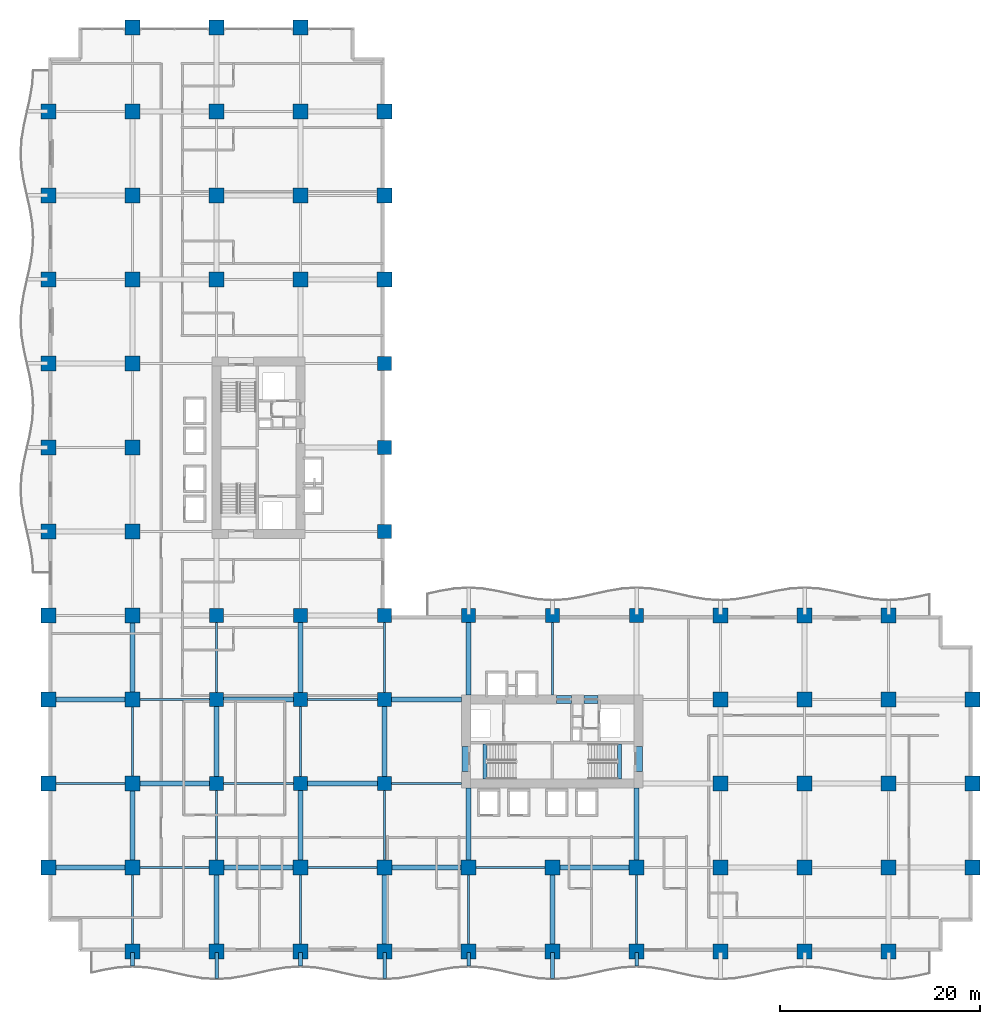
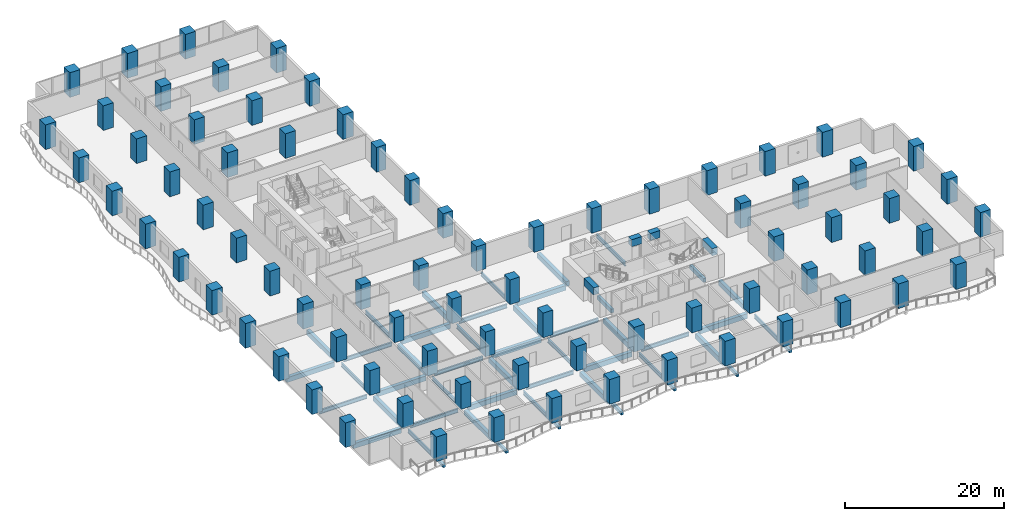
# One storey, part 1 of 22: 78 columns, 53 beams.
"""IFC4 building model written with IfcOpenShell, lengths in metres."""

from ifc_helpers import new_model, si_unit, direction, frame, origin, origin_2d, place, context, subcontext, project, spatial, rectangle, i_section, extrude, material, material_profile, profile_set, type_object, element, save


model = new_model("IFC4")

# Units and contexts
model_context = context("Model", 3, precision=1e-05, world=origin(), true_north=direction((0.0, 1.0)))
body_context = subcontext(model_context, "Body", "Model", "MODEL_VIEW")
ifc_project = project(units=[si_unit("LENGTHUNIT", "METRE"), si_unit("AREAUNIT", "SQUARE_METRE"), si_unit("VOLUMEUNIT", "CUBIC_METRE"), si_unit("PLANEANGLEUNIT", "RADIAN"), si_unit("MASSUNIT", "GRAM", prefix="KILO")], contexts=[model_context])

# Site, building, storey
site_placement = place(None, origin())
site = spatial("IfcSite", under=ifc_project, at=site_placement, CompositionType="ELEMENT")
building_placement = place(site_placement, origin())
building = spatial("IfcBuilding", under=site, at=building_placement, Name="Koriwani Terraces Tower", CompositionType="ELEMENT")
storey_placement = place(building_placement, frame((0.0, 0.0, 62.39990234375)))
storey = spatial("IfcBuildingStorey", under=building, at=storey_placement, Name="L14", CompositionType="ELEMENT", Elevation=62.39990234375)

# Columns
ifc_material_1 = material(Name="Concrete C60/75", Category="concrete")
ifc_material_profile_1 = material_profile(ifc_material_1, rectangle(XDim=1.39990234375, YDim=1.39990234375, at=origin_2d()), Name="Concrete C60/75", Category="LoadBearing")
ifc_profile_set_1 = profile_set([ifc_material_profile_1], Name="Concrete C60/75")
column_type_1 = type_object("IfcColumnType", Name="COL_RC_1400X1400", PredefinedType="COLUMN", material=ifc_profile_set_1)
for number, where, z_axis, x_axis, name in (
    (1, (16.800048828125, 16.800048828125, 0.0), (0.0, 0.0, 1.0), (1.0, 0.0, 0.0), "L14 Column 3/C"),
    (2, (16.800048828125, 25.199951171875, 0.0), (0.0, 0.0, 1.0), (1.0, 0.0, 0.0), "L14 Column 3/D"),
    (3, (16.800048828125, 33.60009765625, 0.0), (0.0, 0.0, 1.0), (1.0, 0.0, 0.0), "L14 Column 3/E"),
    (4, (25.199951171875, 16.800048828125, 0.0), (0.0, 0.0, 1.0), (1.0, 0.0, 0.0), "L14 Column 4/C"),
    (5, (25.199951171875, 25.199951171875, 0.0), (0.0, 0.0, 1.0), (1.0, 0.0, 0.0), "L14 Column 4/D"),
    (6, (25.199951171875, 33.60009765625, 0.0), (0.0, 0.0, 1.0), (1.0, 0.0, 0.0), "L14 Column 4/E"),
    (7, (33.60009765625, 16.800048828125, 0.0), (0.0, 0.0, 1.0), (1.0, 0.0, 0.0), "L14 Column 5/C"),
    (8, (33.60009765625, 25.199951171875, 0.0), (0.0, 0.0, 1.0), (1.0, 0.0, 0.0), "L14 Column 5/D"),
    (9, (33.60009765625, 33.60009765625, 0.0), (0.0, 0.0, 1.0), (1.0, 0.0, 0.0), "L14 Column 5/E"),
    (10, (33.60009765625, 42.0, 0.0), (0.0, 0.0, 1.0), (1.0, 0.0, 0.0), "L14 Column 5/F"),
    (11, (33.60009765625, 50.39990234375, 0.0), (0.0, 0.0, 1.0), (1.0, 0.0, 0.0), "L14 Column 5/G"),
    (12, (33.60009765625, 58.800048828125, 0.0), (0.0, 0.0, 1.0), (1.0, 0.0, 0.0), "L14 Column 5/H"),
    (13, (42.0, 33.60009765625, 0.0), (0.0, 0.0, 1.0), (1.0, 0.0, 0.0), "L14 Column 6/E"),
    (14, (50.39990234375, 33.60009765625, 0.0), (0.0, 0.0, 1.0), (1.0, 0.0, 0.0), "L14 Column 7/E"),
    (15, (58.800048828125, 33.60009765625, 0.0), (0.0, 0.0, 1.0), (1.0, 0.0, 0.0), "L14 Column 8/E"),
):
    element("IfcColumn", number, at=place(storey_placement, frame(where, z_axis=z_axis, x_axis=x_axis)), inside=storey, type_object=column_type_1, Name=name, PredefinedType="COLUMN", context=body_context, shape_type="SweptSolid", body=[
        extrude(rectangle(XDim=1.39990234375, YDim=1.39990234375, at=origin_2d()), origin(), (0.0, 0.0, 1.0), 3.800048828125),
    ])
ifc_material_profile_2 = material_profile(ifc_material_1, rectangle(XDim=1.5, YDim=1.5, at=origin_2d()), Name="Concrete C60/75", Category="LoadBearing")
ifc_profile_set_2 = profile_set([ifc_material_profile_2], Name="Concrete C60/75")
column_type_2 = type_object("IfcColumnType", Name="COL_RC_1500X1500", PredefinedType="COLUMN", material=ifc_profile_set_2)
for number, where, z_axis, x_axis, name in (
    (16, (0.0, 8.39990234375, 0.0), (0.0, 0.0, 1.0), (1.0, 0.0, 0.0), "L14 Column 1/B"),
    (17, (0.0, 16.800048828125, 0.0), (0.0, 0.0, 1.0), (1.0, 0.0, 0.0), "L14 Column 1/C"),
    (18, (0.0, 25.199951171875, 0.0), (0.0, 0.0, 1.0), (1.0, 0.0, 0.0), "L14 Column 1/D"),
    (19, (0.0, 33.60009765625, 0.0), (0.0, 0.0, 1.0), (1.0, 0.0, 0.0), "L14 Column 1/E"),
    (20, (0.0, 42.0, 0.0), (0.0, 0.0, 1.0), (1.0, 0.0, 0.0), "L14 Column 1/F"),
    (21, (0.0, 50.39990234375, 0.0), (0.0, 0.0, 1.0), (1.0, 0.0, 0.0), "L14 Column 1/G"),
    (22, (0.0, 58.800048828125, 0.0), (0.0, 0.0, 1.0), (1.0, 0.0, 0.0), "L14 Column 1/H"),
    (23, (0.0, 67.199951171875, 0.0), (0.0, 0.0, 1.0), (1.0, 0.0, 0.0), "L14 Column 1/I"),
    (24, (0.0, 75.60009765625, 0.0), (0.0, 0.0, 1.0), (1.0, 0.0, 0.0), "L14 Column 1/J"),
    (25, (0.0, 84.0, 0.0), (0.0, 0.0, 1.0), (1.0, 0.0, 0.0), "L14 Column 1/K"),
    (26, (8.39990234375, 0.0, 0.0), (0.0, 0.0, 1.0), (1.0, 0.0, 0.0), "L14 Column 2/A"),
    (27, (8.39990234375, 8.39990234375, 0.0), (0.0, 0.0, 1.0), (1.0, 0.0, 0.0), "L14 Column 2/B"),
    (28, (8.39990234375, 16.800048828125, 0.0), (0.0, 0.0, 1.0), (1.0, 0.0, 0.0), "L14 Column 2/C"),
    (29, (8.39990234375, 25.199951171875, 0.0), (0.0, 0.0, 1.0), (1.0, 0.0, 0.0), "L14 Column 2/D"),
    (30, (8.39990234375, 33.60009765625, 0.0), (0.0, 0.0, 1.0), (1.0, 0.0, 0.0), "L14 Column 2/E"),
    (31, (8.39990234375, 42.0, 0.0), (0.0, 0.0, 1.0), (1.0, 0.0, 0.0), "L14 Column 2/F"),
    (32, (8.39990234375, 50.39990234375, 0.0), (0.0, 0.0, 1.0), (1.0, 0.0, 0.0), "L14 Column 2/G"),
    (33, (8.39990234375, 58.800048828125, 0.0), (0.0, 0.0, 1.0), (1.0, 0.0, 0.0), "L14 Column 2/H"),
    (34, (8.39990234375, 67.199951171875, 0.0), (0.0, 0.0, 1.0), (1.0, 0.0, 0.0), "L14 Column 2/I"),
    (35, (8.39990234375, 75.60009765625, 0.0), (0.0, 0.0, 1.0), (1.0, 0.0, 0.0), "L14 Column 2/J"),
    (36, (8.39990234375, 84.0, 0.0), (0.0, 0.0, 1.0), (1.0, 0.0, 0.0), "L14 Column 2/K"),
    (37, (8.39990234375, 92.39990234375, 0.0), (0.0, 0.0, 1.0), (1.0, 0.0, 0.0), "L14 Column 2/L"),
    (38, (16.800048828125, 0.0, 0.0), (0.0, 0.0, 1.0), (1.0, 0.0, 0.0), "L14 Column 3/A"),
    (39, (16.800048828125, 8.39990234375, 0.0), (0.0, 0.0, 1.0), (1.0, 0.0, 0.0), "L14 Column 3/B"),
    (40, (16.800048828125, 67.199951171875, 0.0), (0.0, 0.0, 1.0), (1.0, 0.0, 0.0), "L14 Column 3/I"),
    (41, (16.800048828125, 75.60009765625, 0.0), (0.0, 0.0, 1.0), (1.0, 0.0, 0.0), "L14 Column 3/J"),
    (42, (16.800048828125, 84.0, 0.0), (0.0, 0.0, 1.0), (1.0, 0.0, 0.0), "L14 Column 3/K"),
    (43, (16.800048828125, 92.39990234375, 0.0), (0.0, 0.0, 1.0), (1.0, 0.0, 0.0), "L14 Column 3/L"),
    (44, (25.199951171875, 0.0, 0.0), (0.0, 0.0, 1.0), (1.0, 0.0, 0.0), "L14 Column 4/A"),
    (45, (25.199951171875, 8.39990234375, 0.0), (0.0, 0.0, 1.0), (1.0, 0.0, 0.0), "L14 Column 4/B"),
    (46, (25.199951171875, 67.199951171875, 0.0), (0.0, 0.0, 1.0), (1.0, 0.0, 0.0), "L14 Column 4/I"),
    (47, (25.199951171875, 75.60009765625, 0.0), (0.0, 0.0, 1.0), (1.0, 0.0, 0.0), "L14 Column 4/J"),
    (48, (25.199951171875, 84.0, 0.0), (0.0, 0.0, 1.0), (1.0, 0.0, 0.0), "L14 Column 4/K"),
    (49, (25.199951171875, 92.39990234375, 0.0), (0.0, 0.0, 1.0), (1.0, 0.0, 0.0), "L14 Column 4/L"),
    (50, (33.60009765625, 0.0, 0.0), (0.0, 0.0, 1.0), (1.0, 0.0, 0.0), "L14 Column 5/A"),
    (51, (33.60009765625, 8.39990234375, 0.0), (0.0, 0.0, 1.0), (1.0, 0.0, 0.0), "L14 Column 5/B"),
    (52, (33.60009765625, 67.199951171875, 0.0), (0.0, 0.0, 1.0), (1.0, 0.0, 0.0), "L14 Column 5/I"),
    (53, (33.60009765625, 75.60009765625, 0.0), (0.0, 0.0, 1.0), (1.0, 0.0, 0.0), "L14 Column 5/J"),
    (54, (33.60009765625, 84.0, 0.0), (0.0, 0.0, 1.0), (1.0, 0.0, 0.0), "L14 Column 5/K"),
    (55, (42.0, 0.0, 0.0), (0.0, 0.0, 1.0), (1.0, 0.0, 0.0), "L14 Column 6/A"),
    (56, (42.0, 8.39990234375, 0.0), (0.0, 0.0, 1.0), (1.0, 0.0, 0.0), "L14 Column 6/B"),
    (57, (50.39990234375, 0.0, 0.0), (0.0, 0.0, 1.0), (1.0, 0.0, 0.0), "L14 Column 7/A"),
    (58, (50.39990234375, 8.39990234375, 0.0), (0.0, 0.0, 1.0), (1.0, 0.0, 0.0), "L14 Column 7/B"),
    (59, (58.800048828125, 0.0, 0.0), (0.0, 0.0, 1.0), (1.0, 0.0, 0.0), "L14 Column 8/A"),
    (60, (58.800048828125, 8.39990234375, 0.0), (0.0, 0.0, 1.0), (1.0, 0.0, 0.0), "L14 Column 8/B"),
    (61, (67.199951171875, 0.0, 0.0), (0.0, 0.0, 1.0), (1.0, 0.0, 0.0), "L14 Column 9/A"),
    (62, (67.199951171875, 8.39990234375, 0.0), (0.0, 0.0, 1.0), (1.0, 0.0, 0.0), "L14 Column 9/B"),
    (63, (67.199951171875, 16.800048828125, 0.0), (0.0, 0.0, 1.0), (1.0, 0.0, 0.0), "L14 Column 9/C"),
    (64, (67.199951171875, 25.199951171875, 0.0), (0.0, 0.0, 1.0), (1.0, 0.0, 0.0), "L14 Column 9/D"),
    (65, (67.199951171875, 33.60009765625, 0.0), (0.0, 0.0, 1.0), (1.0, 0.0, 0.0), "L14 Column 9/E"),
    (66, (75.60009765625, 0.0, 0.0), (0.0, 0.0, 1.0), (1.0, 0.0, 0.0), "L14 Column 10/A"),
    (67, (75.60009765625, 8.39990234375, 0.0), (0.0, 0.0, 1.0), (1.0, 0.0, 0.0), "L14 Column 10/B"),
    (68, (75.60009765625, 16.800048828125, 0.0), (0.0, 0.0, 1.0), (1.0, 0.0, 0.0), "L14 Column 10/C"),
    (69, (75.60009765625, 25.199951171875, 0.0), (0.0, 0.0, 1.0), (1.0, 0.0, 0.0), "L14 Column 10/D"),
    (70, (75.60009765625, 33.60009765625, 0.0), (0.0, 0.0, 1.0), (1.0, 0.0, 0.0), "L14 Column 10/E"),
    (71, (84.0, 0.0, 0.0), (0.0, 0.0, 1.0), (1.0, 0.0, 0.0), "L14 Column 11/A"),
    (72, (84.0, 8.39990234375, 0.0), (0.0, 0.0, 1.0), (1.0, 0.0, 0.0), "L14 Column 11/B"),
    (73, (84.0, 16.800048828125, 0.0), (0.0, 0.0, 1.0), (1.0, 0.0, 0.0), "L14 Column 11/C"),
    (74, (84.0, 25.199951171875, 0.0), (0.0, 0.0, 1.0), (1.0, 0.0, 0.0), "L14 Column 11/D"),
    (75, (84.0, 33.60009765625, 0.0), (0.0, 0.0, 1.0), (1.0, 0.0, 0.0), "L14 Column 11/E"),
    (76, (92.39990234375, 8.39990234375, 0.0), (0.0, 0.0, 1.0), (1.0, 0.0, 0.0), "L14 Column 12/B"),
    (77, (92.39990234375, 16.800048828125, 0.0), (0.0, 0.0, 1.0), (1.0, 0.0, 0.0), "L14 Column 12/C"),
    (78, (92.39990234375, 25.199951171875, 0.0), (0.0, 0.0, 1.0), (1.0, 0.0, 0.0), "L14 Column 12/D"),
):
    element("IfcColumn", number, at=place(storey_placement, frame(where, z_axis=z_axis, x_axis=x_axis)), inside=storey, type_object=column_type_2, Name=name, PredefinedType="COLUMN", context=body_context, shape_type="SweptSolid", body=[
        extrude(rectangle(XDim=1.5, YDim=1.5, at=origin_2d()), origin(), (0.0, 0.0, 1.0), 3.800048828125),
    ])

# Beams
ifc_material_2 = material(Name="Concrete C40/50", Category="concrete")
ifc_material_profile_3 = material_profile(ifc_material_2, rectangle(XDim=0.35009765625, YDim=0.449951171875, at=origin_2d()), Name="Concrete C40/50", Category="LoadBearing")
ifc_profile_set_3 = profile_set([ifc_material_profile_3], Name="Concrete C40/50")
beam_type_1 = type_object("IfcBeamType", Name="BEAM_RC_BALCONY_RIB_350X450", PredefinedType="JOIST", material=ifc_profile_set_3)
beam_1_placement = place(storey_placement, frame((8.39990234375, -1.449951171875, -0.474853515625), z_axis=(0.0, 1.0, 0.0), x_axis=(-1.0, 0.0, 0.0)))
element("IfcBeam", 79, at=beam_1_placement, inside=storey, type_object=beam_type_1, Name="L14 Balcony Bracket Rib S-1", PredefinedType="JOIST", context=body_context, shape_type="SweptSolid", body=[
    extrude(rectangle(XDim=0.35009765625, YDim=0.449951171875, at=origin_2d()), origin(), (0.0, 0.0, 1.0), 1.349853515625),
])
beam_2_placement = place(storey_placement, frame((16.800048828125, -2.699951171875, -0.474853515625), z_axis=(0.0, 1.0, 0.0), x_axis=(-1.0, 0.0, 0.0)))
element("IfcBeam", 80, at=beam_2_placement, inside=storey, type_object=beam_type_1, Name="L14 Balcony Bracket Rib S-2", PredefinedType="JOIST", context=body_context, shape_type="SweptSolid", body=[
    extrude(rectangle(XDim=0.35009765625, YDim=0.449951171875, at=origin_2d()), origin(), (0.0, 0.0, 1.0), 2.599853515625),
])
beam_3_placement = place(storey_placement, frame((25.199951171875, -1.449951171875, -0.474853515625), z_axis=(0.0, 1.0, 0.0), x_axis=(-1.0, 0.0, 0.0)))
element("IfcBeam", 81, at=beam_3_placement, inside=storey, type_object=beam_type_1, Name="L14 Balcony Bracket Rib S-3", PredefinedType="JOIST", context=body_context, shape_type="SweptSolid", body=[
    extrude(rectangle(XDim=0.35009765625, YDim=0.449951171875, at=origin_2d()), origin(), (0.0, 0.0, 1.0), 1.349853515625),
])
beam_4_placement = place(storey_placement, frame((33.60009765625, -2.699951171875, -0.474853515625), z_axis=(0.0, 1.0, 0.0), x_axis=(-1.0, 0.0, 0.0)))
element("IfcBeam", 82, at=beam_4_placement, inside=storey, type_object=beam_type_1, Name="L14 Balcony Bracket Rib S-4", PredefinedType="JOIST", context=body_context, shape_type="SweptSolid", body=[
    extrude(rectangle(XDim=0.35009765625, YDim=0.449951171875, at=origin_2d()), origin(), (0.0, 0.0, 1.0), 2.599853515625),
])
beam_5_placement = place(storey_placement, frame((42.0, -1.449951171875, -0.474853515625), z_axis=(0.0, 1.0, 0.0), x_axis=(-1.0, 0.0, 0.0)))
element("IfcBeam", 83, at=beam_5_placement, inside=storey, type_object=beam_type_1, Name="L14 Balcony Bracket Rib S-5", PredefinedType="JOIST", context=body_context, shape_type="SweptSolid", body=[
    extrude(rectangle(XDim=0.35009765625, YDim=0.449951171875, at=origin_2d()), origin(), (0.0, 0.0, 1.0), 1.349853515625),
])
beam_6_placement = place(storey_placement, frame((50.39990234375, -2.699951171875, -0.474853515625), z_axis=(0.0, 1.0, 0.0), x_axis=(-1.0, 0.0, 0.0)))
element("IfcBeam", 84, at=beam_6_placement, inside=storey, type_object=beam_type_1, Name="L14 Balcony Bracket Rib S-6", PredefinedType="JOIST", context=body_context, shape_type="SweptSolid", body=[
    extrude(rectangle(XDim=0.35009765625, YDim=0.449951171875, at=origin_2d()), origin(), (0.0, 0.0, 1.0), 2.599853515625),
])
beam_7_placement = place(storey_placement, frame((58.800048828125, -1.449951171875, -0.474853515625), z_axis=(0.0, 1.0, 0.0), x_axis=(-1.0, 0.0, 0.0)))
element("IfcBeam", 85, at=beam_7_placement, inside=storey, type_object=beam_type_1, Name="L14 Balcony Bracket Rib S-7", PredefinedType="JOIST", context=body_context, shape_type="SweptSolid", body=[
    extrude(rectangle(XDim=0.35009765625, YDim=0.449951171875, at=origin_2d()), origin(), (0.0, 0.0, 1.0), 1.349853515625),
])
ifc_material_profile_4 = material_profile(ifc_material_1, rectangle(XDim=0.800048828125, YDim=1.10009765625, at=origin_2d()), Name="Concrete C60/75", Category="LoadBearing")
ifc_profile_set_4 = profile_set([ifc_material_profile_4], Name="Concrete C60/75")
beam_type_2 = type_object("IfcBeamType", Name="BEAM_RC_COUPLING_800X1100", PredefinedType="LINTEL", material=ifc_profile_set_4)
beam_8_placement = place(storey_placement, frame((50.800048828125, 25.199951171875, 3.0), z_axis=(1.0, 0.0, 0.0), x_axis=(0.0, 1.0, 0.0)))
element("IfcBeam", 86, at=beam_8_placement, inside=storey, type_object=beam_type_2, Name="L14 Core Coupling Lintel Beam EN1", PredefinedType="LINTEL", context=body_context, shape_type="SweptSolid", body=[
    extrude(rectangle(XDim=0.800048828125, YDim=1.10009765625, at=origin_2d()), origin(), (0.0, 0.0, 1.0), 1.47998046875),
])
beam_9_placement = place(storey_placement, frame((53.550048828125, 25.199951171875, 3.0), z_axis=(1.0, 0.0, 0.0), x_axis=(0.0, 1.0, 0.0)))
element("IfcBeam", 87, at=beam_9_placement, inside=storey, type_object=beam_type_2, Name="L14 Core Coupling Lintel Beam EN2", PredefinedType="LINTEL", context=body_context, shape_type="SweptSolid", body=[
    extrude(rectangle(XDim=0.800048828125, YDim=1.10009765625, at=origin_2d()), origin(), (0.0, 0.0, 1.0), 1.39990234375),
])
for number, where, z_axis, x_axis, name in (
    (88, (41.75, 18.0, 3.0), (0.0, 1.0, 0.0), (-1.0, 0.0, 0.0), "L14 Core Coupling Lintel Beam EW"),
    (89, (59.0, 18.0, 3.0), (0.0, 1.0, 0.0), (-1.0, 0.0, 0.0), "L14 Core Coupling Lintel Beam EE"),
):
    element("IfcBeam", number, at=place(storey_placement, frame(where, z_axis=z_axis, x_axis=x_axis)), inside=storey, type_object=beam_type_2, Name=name, PredefinedType="LINTEL", context=body_context, shape_type="SweptSolid", body=[
        extrude(rectangle(XDim=0.800048828125, YDim=1.10009765625, at=origin_2d()), origin(), (0.0, 0.0, 1.0), 2.5),
    ])
ifc_material_profile_5 = material_profile(ifc_material_2, rectangle(XDim=0.39990234375, YDim=0.60009765625, at=origin_2d()), Name="Concrete C40/50", Category="LoadBearing")
ifc_profile_set_5 = profile_set([ifc_material_profile_5], Name="Concrete C40/50")
beam_type_3 = type_object("IfcBeamType", Name="BEAM_RC_GRID_400X600", PredefinedType="BEAM", material=ifc_profile_set_5)
for number, where, z_axis, x_axis, name in (
    (90, (43.655029296875, 17.25, -0.2998046875), (0.0, 1.0, 0.0), (-1.0, 0.0, 0.0), "L14 Stairwell Header Trimmer Beam ST-E1"),
    (91, (57.094970703125, 17.25, -0.2998046875), (0.0, 1.0, 0.0), (-1.0, 0.0, 0.0), "L14 Stairwell Header Trimmer Beam ST-E2"),
):
    element("IfcBeam", number, at=place(storey_placement, frame(where, z_axis=z_axis, x_axis=x_axis)), inside=storey, type_object=beam_type_3, Name=name, PredefinedType="BEAM", context=body_context, shape_type="SweptSolid", body=[
        extrude(rectangle(XDim=0.39990234375, YDim=0.60009765625, at=origin_2d()), origin(), (0.0, 0.0, 1.0), 3.5),
    ])
ifc_material_3 = material(Name="Concrete C50/60", Category="concrete")
ifc_material_profile_6 = material_profile(ifc_material_3, rectangle(XDim=0.5, YDim=0.75, at=origin_2d()), Name="Concrete C50/60", Category="LoadBearing")
ifc_profile_set_6 = profile_set([ifc_material_profile_6], Name="Concrete C50/60")
beam_type_4 = type_object("IfcBeamType", Name="BEAM_RC_GRID_500X750", PredefinedType="BEAM", material=ifc_profile_set_6)
for number, where, z_axis, x_axis, name in (
    (92, (0.72998046875, 8.39990234375, -0.625), (1.0, 0.0, 0.0), (0.0, 1.0, 0.0), "L14 Grid Beam B (0.0-8.4m)"),
    (93, (17.530029296875, 8.39990234375, -0.625), (1.0, 0.0, 0.0), (0.0, 1.0, 0.0), "L14 Grid Beam B (16.8-25.2m)"),
    (94, (34.330078125, 8.39990234375, -0.625), (1.0, 0.0, 0.0), (0.0, 1.0, 0.0), "L14 Grid Beam B (33.6-42.0m)"),
):
    element("IfcBeam", number, at=place(storey_placement, frame(where, z_axis=z_axis, x_axis=x_axis)), inside=storey, type_object=beam_type_4, Name=name, PredefinedType="BEAM", context=body_context, shape_type="SweptSolid", body=[
        extrude(rectangle(XDim=0.5, YDim=0.75, at=origin_2d()), origin(), (0.0, 0.0, 1.0), 6.93994140625),
    ])
beam_10_placement = place(storey_placement, frame((51.1298828125, 8.39990234375, -0.625), z_axis=(1.0, 0.0, 0.0), x_axis=(0.0, 1.0, 0.0)))
element("IfcBeam", 95, at=beam_10_placement, inside=storey, type_object=beam_type_4, Name="L14 Grid Beam B (50.4-58.8m)", PredefinedType="BEAM", context=body_context, shape_type="SweptSolid", body=[
    extrude(rectangle(XDim=0.5, YDim=0.75, at=origin_2d()), origin(), (0.0, 0.0, 1.0), 6.940185546875),
])
beam_11_placement = place(storey_placement, frame((9.1298828125, 16.800048828125, -0.625), z_axis=(1.0, 0.0, 0.0), x_axis=(0.0, 1.0, 0.0)))
element("IfcBeam", 96, at=beam_11_placement, inside=storey, type_object=beam_type_4, Name="L14 Grid Beam C (8.4-16.8m)", PredefinedType="BEAM", context=body_context, shape_type="SweptSolid", body=[
    extrude(rectangle(XDim=0.5, YDim=0.75, at=origin_2d()), origin(), (0.0, 0.0, 1.0), 6.990234375),
])
beam_12_placement = place(storey_placement, frame((25.8798828125, 16.800048828125, -0.625), z_axis=(1.0, 0.0, 0.0), x_axis=(0.0, 1.0, 0.0)))
element("IfcBeam", 97, at=beam_12_placement, inside=storey, type_object=beam_type_4, Name="L14 Grid Beam C (25.2-33.6m)", PredefinedType="BEAM", context=body_context, shape_type="SweptSolid", body=[
    extrude(rectangle(XDim=0.5, YDim=0.75, at=origin_2d()), origin(), (0.0, 0.0, 1.0), 7.0400390625),
])
beam_13_placement = place(storey_placement, frame((0.72998046875, 25.199951171875, -0.625), z_axis=(1.0, 0.0, 0.0), x_axis=(0.0, 1.0, 0.0)))
element("IfcBeam", 98, at=beam_13_placement, inside=storey, type_object=beam_type_4, Name="L14 Grid Beam D (0.0-8.4m)", PredefinedType="BEAM", context=body_context, shape_type="SweptSolid", body=[
    extrude(rectangle(XDim=0.5, YDim=0.75, at=origin_2d()), origin(), (0.0, 0.0, 1.0), 6.93994140625),
])
for number, where, z_axis, x_axis, name in (
    (99, (17.47998046875, 25.199951171875, -0.625), (1.0, 0.0, 0.0), (0.0, 1.0, 0.0), "L14 Grid Beam D (16.8-25.2m)"),
    (100, (34.280029296875, 25.199951171875, -0.625), (1.0, 0.0, 0.0), (0.0, 1.0, 0.0), "L14 Grid Beam D (33.6-42.0m)"),
):
    element("IfcBeam", number, at=place(storey_placement, frame(where, z_axis=z_axis, x_axis=x_axis)), inside=storey, type_object=beam_type_4, Name=name, PredefinedType="BEAM", context=body_context, shape_type="SweptSolid", body=[
        extrude(rectangle(XDim=0.5, YDim=0.75, at=origin_2d()), origin(), (0.0, 0.0, 1.0), 7.0400390625),
    ])
for number, where, z_axis, x_axis, name in (
    (101, (8.39990234375, 9.1298828125, -0.625), (0.0, 1.0, 0.0), (-1.0, 0.0, 0.0), "L14 Grid Beam 2 (8.4-16.8m)"),
    (102, (8.39990234375, 25.929931640625, -0.625), (0.0, 1.0, 0.0), (-1.0, 0.0, 0.0), "L14 Grid Beam 2 (25.2-33.6m)"),
):
    element("IfcBeam", number, at=place(storey_placement, frame(where, z_axis=z_axis, x_axis=x_axis)), inside=storey, type_object=beam_type_4, Name=name, PredefinedType="BEAM", context=body_context, shape_type="SweptSolid", body=[
        extrude(rectangle(XDim=0.5, YDim=0.75, at=origin_2d()), origin(), (0.0, 0.0, 1.0), 6.940185546875),
    ])
beam_14_placement = place(storey_placement, frame((16.800048828125, 0.72998046875, -0.625), z_axis=(0.0, 1.0, 0.0), x_axis=(-1.0, 0.0, 0.0)))
element("IfcBeam", 103, at=beam_14_placement, inside=storey, type_object=beam_type_4, Name="L14 Grid Beam 3 (0.0-8.4m)", PredefinedType="BEAM", context=body_context, shape_type="SweptSolid", body=[
    extrude(rectangle(XDim=0.5, YDim=0.75, at=origin_2d()), origin(), (0.0, 0.0, 1.0), 6.93994140625),
])
beam_15_placement = place(storey_placement, frame((16.800048828125, 17.47998046875, -0.625), z_axis=(0.0, 1.0, 0.0), x_axis=(-1.0, 0.0, 0.0)))
element("IfcBeam", 104, at=beam_15_placement, inside=storey, type_object=beam_type_4, Name="L14 Grid Beam 3 (16.8-25.2m)", PredefinedType="BEAM", context=body_context, shape_type="SweptSolid", body=[
    extrude(rectangle(XDim=0.5, YDim=0.75, at=origin_2d()), origin(), (0.0, 0.0, 1.0), 7.0400390625),
])
beam_16_placement = place(storey_placement, frame((25.199951171875, 9.1298828125, -0.625), z_axis=(0.0, 1.0, 0.0), x_axis=(-1.0, 0.0, 0.0)))
element("IfcBeam", 105, at=beam_16_placement, inside=storey, type_object=beam_type_4, Name="L14 Grid Beam 4 (8.4-16.8m)", PredefinedType="BEAM", context=body_context, shape_type="SweptSolid", body=[
    extrude(rectangle(XDim=0.5, YDim=0.75, at=origin_2d()), origin(), (0.0, 0.0, 1.0), 6.990234375),
])
beam_17_placement = place(storey_placement, frame((25.199951171875, 25.8798828125, -0.625), z_axis=(0.0, 1.0, 0.0), x_axis=(-1.0, 0.0, 0.0)))
element("IfcBeam", 106, at=beam_17_placement, inside=storey, type_object=beam_type_4, Name="L14 Grid Beam 4 (25.2-33.6m)", PredefinedType="BEAM", context=body_context, shape_type="SweptSolid", body=[
    extrude(rectangle(XDim=0.5, YDim=0.75, at=origin_2d()), origin(), (0.0, 0.0, 1.0), 7.0400390625),
])
beam_18_placement = place(storey_placement, frame((33.60009765625, 0.72998046875, -0.625), z_axis=(0.0, 1.0, 0.0), x_axis=(-1.0, 0.0, 0.0)))
element("IfcBeam", 107, at=beam_18_placement, inside=storey, type_object=beam_type_4, Name="L14 Grid Beam 5 (0.0-8.4m)", PredefinedType="BEAM", context=body_context, shape_type="SweptSolid", body=[
    extrude(rectangle(XDim=0.5, YDim=0.75, at=origin_2d()), origin(), (0.0, 0.0, 1.0), 6.93994140625),
])
beam_19_placement = place(storey_placement, frame((33.60009765625, 17.47998046875, -0.625), z_axis=(0.0, 1.0, 0.0), x_axis=(-1.0, 0.0, 0.0)))
element("IfcBeam", 108, at=beam_19_placement, inside=storey, type_object=beam_type_4, Name="L14 Grid Beam 5 (16.8-25.2m)", PredefinedType="BEAM", context=body_context, shape_type="SweptSolid", body=[
    extrude(rectangle(XDim=0.5, YDim=0.75, at=origin_2d()), origin(), (0.0, 0.0, 1.0), 7.0400390625),
])
beam_20_placement = place(storey_placement, frame((42.0, 9.1298828125, -0.625), z_axis=(0.0, 1.0, 0.0), x_axis=(-1.0, 0.0, 0.0)))
element("IfcBeam", 109, at=beam_20_placement, inside=storey, type_object=beam_type_4, Name="L14 Grid Beam 6 (8.4-16.8m)", PredefinedType="BEAM", context=body_context, shape_type="SweptSolid", body=[
    extrude(rectangle(XDim=0.5, YDim=0.75, at=origin_2d()), origin(), (0.0, 0.0, 1.0), 7.240234375),
])
beam_21_placement = place(storey_placement, frame((42.0, 25.6298828125, -0.625), z_axis=(0.0, 1.0, 0.0), x_axis=(-1.0, 0.0, 0.0)))
element("IfcBeam", 110, at=beam_21_placement, inside=storey, type_object=beam_type_4, Name="L14 Grid Beam 6 (25.2-33.6m)", PredefinedType="BEAM", context=body_context, shape_type="SweptSolid", body=[
    extrude(rectangle(XDim=0.5, YDim=0.75, at=origin_2d()), origin(), (0.0, 0.0, 1.0), 7.2900390625),
])
beam_22_placement = place(storey_placement, frame((50.39990234375, 0.72998046875, -0.625), z_axis=(0.0, 1.0, 0.0), x_axis=(-1.0, 0.0, 0.0)))
element("IfcBeam", 111, at=beam_22_placement, inside=storey, type_object=beam_type_4, Name="L14 Grid Beam 7 (0.0-8.4m)", PredefinedType="BEAM", context=body_context, shape_type="SweptSolid", body=[
    extrude(rectangle(XDim=0.5, YDim=0.75, at=origin_2d()), origin(), (0.0, 0.0, 1.0), 6.93994140625),
])
beam_23_placement = place(storey_placement, frame((58.800048828125, 9.1298828125, -0.625), z_axis=(0.0, 1.0, 0.0), x_axis=(-1.0, 0.0, 0.0)))
element("IfcBeam", 112, at=beam_23_placement, inside=storey, type_object=beam_type_4, Name="L14 Grid Beam 8 (8.4-16.8m)", PredefinedType="BEAM", context=body_context, shape_type="SweptSolid", body=[
    extrude(rectangle(XDim=0.5, YDim=0.75, at=origin_2d()), origin(), (0.0, 0.0, 1.0), 7.240234375),
])
ifc_material_4 = material(Name="Steel ASTM A572 Grade 50", Category="steel")
ifc_material_profile_7 = material_profile(ifc_material_4, i_section(OverallWidth=0.23095703125, OverallDepth=0.616943359375, WebThickness=0.015380859375, FlangeThickness=0.0244140625, at=origin_2d()), Name="Steel ASTM A572 Grade 50", Category="LoadBearing")
ifc_profile_set_7 = profile_set([ifc_material_profile_7], Name="Steel ASTM A572 Grade 50")
beam_type_5 = type_object("IfcBeamType", Name="STEEL_BEAM_W610X195", PredefinedType="BEAM", material=ifc_profile_set_7)
for number, where, z_axis, x_axis, name in (
    (113, (9.1298828125, 8.39990234375, -0.558349609375), (1.0, 0.0, 0.0), (0.0, 1.0, 0.0), "L14 Grid Beam B (8.4-16.8m)"),
    (114, (25.929931640625, 8.39990234375, -0.558349609375), (1.0, 0.0, 0.0), (0.0, 1.0, 0.0), "L14 Grid Beam B (25.2-33.6m)"),
):
    element("IfcBeam", number, at=place(storey_placement, frame(where, z_axis=z_axis, x_axis=x_axis)), inside=storey, type_object=beam_type_5, Name=name, PredefinedType="BEAM", context=body_context, shape_type="SweptSolid", body=[
        extrude(i_section(OverallWidth=0.23095703125, OverallDepth=0.616943359375, WebThickness=0.015380859375, FlangeThickness=0.0244140625, at=origin_2d()), origin(), (0.0, 0.0, 1.0), 6.940185546875),
    ])
for number, where, z_axis, x_axis, name in (
    (115, (42.72998046875, 8.39990234375, -0.558349609375), (1.0, 0.0, 0.0), (0.0, 1.0, 0.0), "L14 Grid Beam B (42.0-50.4m)"),
    (116, (0.72998046875, 16.800048828125, -0.558349609375), (1.0, 0.0, 0.0), (0.0, 1.0, 0.0), "L14 Grid Beam C (0.0-8.4m)"),
):
    element("IfcBeam", number, at=place(storey_placement, frame(where, z_axis=z_axis, x_axis=x_axis)), inside=storey, type_object=beam_type_5, Name=name, PredefinedType="BEAM", context=body_context, shape_type="SweptSolid", body=[
        extrude(i_section(OverallWidth=0.23095703125, OverallDepth=0.616943359375, WebThickness=0.015380859375, FlangeThickness=0.0244140625, at=origin_2d()), origin(), (0.0, 0.0, 1.0), 6.93994140625),
    ])
for number, where, z_axis, x_axis, name in (
    (117, (17.47998046875, 16.800048828125, -0.558349609375), (1.0, 0.0, 0.0), (0.0, 1.0, 0.0), "L14 Grid Beam C (16.8-25.2m)"),
    (118, (34.280029296875, 16.800048828125, -0.558349609375), (1.0, 0.0, 0.0), (0.0, 1.0, 0.0), "L14 Grid Beam C (33.6-42.0m)"),
):
    element("IfcBeam", number, at=place(storey_placement, frame(where, z_axis=z_axis, x_axis=x_axis)), inside=storey, type_object=beam_type_5, Name=name, PredefinedType="BEAM", context=body_context, shape_type="SweptSolid", body=[
        extrude(i_section(OverallWidth=0.23095703125, OverallDepth=0.616943359375, WebThickness=0.015380859375, FlangeThickness=0.0244140625, at=origin_2d()), origin(), (0.0, 0.0, 1.0), 7.0400390625),
    ])
beam_24_placement = place(storey_placement, frame((9.1298828125, 25.199951171875, -0.558349609375), z_axis=(1.0, 0.0, 0.0), x_axis=(0.0, 1.0, 0.0)))
element("IfcBeam", 119, at=beam_24_placement, inside=storey, type_object=beam_type_5, Name="L14 Grid Beam D (8.4-16.8m)", PredefinedType="BEAM", context=body_context, shape_type="SweptSolid", body=[
    extrude(i_section(OverallWidth=0.23095703125, OverallDepth=0.616943359375, WebThickness=0.015380859375, FlangeThickness=0.0244140625, at=origin_2d()), origin(), (0.0, 0.0, 1.0), 6.990234375),
])
beam_25_placement = place(storey_placement, frame((25.8798828125, 25.199951171875, -0.558349609375), z_axis=(1.0, 0.0, 0.0), x_axis=(0.0, 1.0, 0.0)))
element("IfcBeam", 120, at=beam_25_placement, inside=storey, type_object=beam_type_5, Name="L14 Grid Beam D (25.2-33.6m)", PredefinedType="BEAM", context=body_context, shape_type="SweptSolid", body=[
    extrude(i_section(OverallWidth=0.23095703125, OverallDepth=0.616943359375, WebThickness=0.015380859375, FlangeThickness=0.0244140625, at=origin_2d()), origin(), (0.0, 0.0, 1.0), 7.0400390625),
])
for number, where, z_axis, x_axis, name in (
    (121, (8.39990234375, 0.72998046875, -0.558349609375), (0.0, 1.0, 0.0), (-1.0, 0.0, 0.0), "L14 Grid Beam 2 (0.0-8.4m)"),
    (122, (8.39990234375, 17.530029296875, -0.558349609375), (0.0, 1.0, 0.0), (-1.0, 0.0, 0.0), "L14 Grid Beam 2 (16.8-25.2m)"),
):
    element("IfcBeam", number, at=place(storey_placement, frame(where, z_axis=z_axis, x_axis=x_axis)), inside=storey, type_object=beam_type_5, Name=name, PredefinedType="BEAM", context=body_context, shape_type="SweptSolid", body=[
        extrude(i_section(OverallWidth=0.23095703125, OverallDepth=0.616943359375, WebThickness=0.015380859375, FlangeThickness=0.0244140625, at=origin_2d()), origin(), (0.0, 0.0, 1.0), 6.93994140625),
    ])
beam_26_placement = place(storey_placement, frame((16.800048828125, 9.1298828125, -0.558349609375), z_axis=(0.0, 1.0, 0.0), x_axis=(-1.0, 0.0, 0.0)))
element("IfcBeam", 123, at=beam_26_placement, inside=storey, type_object=beam_type_5, Name="L14 Grid Beam 3 (8.4-16.8m)", PredefinedType="BEAM", context=body_context, shape_type="SweptSolid", body=[
    extrude(i_section(OverallWidth=0.23095703125, OverallDepth=0.616943359375, WebThickness=0.015380859375, FlangeThickness=0.0244140625, at=origin_2d()), origin(), (0.0, 0.0, 1.0), 6.990234375),
])
beam_27_placement = place(storey_placement, frame((16.800048828125, 25.8798828125, -0.558349609375), z_axis=(0.0, 1.0, 0.0), x_axis=(-1.0, 0.0, 0.0)))
element("IfcBeam", 124, at=beam_27_placement, inside=storey, type_object=beam_type_5, Name="L14 Grid Beam 3 (25.2-33.6m)", PredefinedType="BEAM", context=body_context, shape_type="SweptSolid", body=[
    extrude(i_section(OverallWidth=0.23095703125, OverallDepth=0.616943359375, WebThickness=0.015380859375, FlangeThickness=0.0244140625, at=origin_2d()), origin(), (0.0, 0.0, 1.0), 7.0400390625),
])
beam_28_placement = place(storey_placement, frame((25.199951171875, 0.72998046875, -0.558349609375), z_axis=(0.0, 1.0, 0.0), x_axis=(-1.0, 0.0, 0.0)))
element("IfcBeam", 125, at=beam_28_placement, inside=storey, type_object=beam_type_5, Name="L14 Grid Beam 4 (0.0-8.4m)", PredefinedType="BEAM", context=body_context, shape_type="SweptSolid", body=[
    extrude(i_section(OverallWidth=0.23095703125, OverallDepth=0.616943359375, WebThickness=0.015380859375, FlangeThickness=0.0244140625, at=origin_2d()), origin(), (0.0, 0.0, 1.0), 6.93994140625),
])
beam_29_placement = place(storey_placement, frame((25.199951171875, 17.47998046875, -0.558349609375), z_axis=(0.0, 1.0, 0.0), x_axis=(-1.0, 0.0, 0.0)))
element("IfcBeam", 126, at=beam_29_placement, inside=storey, type_object=beam_type_5, Name="L14 Grid Beam 4 (16.8-25.2m)", PredefinedType="BEAM", context=body_context, shape_type="SweptSolid", body=[
    extrude(i_section(OverallWidth=0.23095703125, OverallDepth=0.616943359375, WebThickness=0.015380859375, FlangeThickness=0.0244140625, at=origin_2d()), origin(), (0.0, 0.0, 1.0), 7.0400390625),
])
beam_30_placement = place(storey_placement, frame((33.60009765625, 9.1298828125, -0.558349609375), z_axis=(0.0, 1.0, 0.0), x_axis=(-1.0, 0.0, 0.0)))
element("IfcBeam", 127, at=beam_30_placement, inside=storey, type_object=beam_type_5, Name="L14 Grid Beam 5 (8.4-16.8m)", PredefinedType="BEAM", context=body_context, shape_type="SweptSolid", body=[
    extrude(i_section(OverallWidth=0.23095703125, OverallDepth=0.616943359375, WebThickness=0.015380859375, FlangeThickness=0.0244140625, at=origin_2d()), origin(), (0.0, 0.0, 1.0), 6.990234375),
])
beam_31_placement = place(storey_placement, frame((33.60009765625, 25.8798828125, -0.558349609375), z_axis=(0.0, 1.0, 0.0), x_axis=(-1.0, 0.0, 0.0)))
element("IfcBeam", 128, at=beam_31_placement, inside=storey, type_object=beam_type_5, Name="L14 Grid Beam 5 (25.2-33.6m)", PredefinedType="BEAM", context=body_context, shape_type="SweptSolid", body=[
    extrude(i_section(OverallWidth=0.23095703125, OverallDepth=0.616943359375, WebThickness=0.015380859375, FlangeThickness=0.0244140625, at=origin_2d()), origin(), (0.0, 0.0, 1.0), 7.0400390625),
])
beam_32_placement = place(storey_placement, frame((42.0, 0.72998046875, -0.558349609375), z_axis=(0.0, 1.0, 0.0), x_axis=(-1.0, 0.0, 0.0)))
element("IfcBeam", 129, at=beam_32_placement, inside=storey, type_object=beam_type_5, Name="L14 Grid Beam 6 (0.0-8.4m)", PredefinedType="BEAM", context=body_context, shape_type="SweptSolid", body=[
    extrude(i_section(OverallWidth=0.23095703125, OverallDepth=0.616943359375, WebThickness=0.015380859375, FlangeThickness=0.0244140625, at=origin_2d()), origin(), (0.0, 0.0, 1.0), 6.93994140625),
])
beam_33_placement = place(storey_placement, frame((50.39990234375, 25.6298828125, -0.558349609375), z_axis=(0.0, 1.0, 0.0), x_axis=(-1.0, 0.0, 0.0)))
element("IfcBeam", 130, at=beam_33_placement, inside=storey, type_object=beam_type_5, Name="L14 Grid Beam 7 (25.2-33.6m)", PredefinedType="BEAM", context=body_context, shape_type="SweptSolid", body=[
    extrude(i_section(OverallWidth=0.23095703125, OverallDepth=0.616943359375, WebThickness=0.015380859375, FlangeThickness=0.0244140625, at=origin_2d()), origin(), (0.0, 0.0, 1.0), 7.2900390625),
])
beam_34_placement = place(storey_placement, frame((58.800048828125, 0.72998046875, -0.558349609375), z_axis=(0.0, 1.0, 0.0), x_axis=(-1.0, 0.0, 0.0)))
element("IfcBeam", 131, at=beam_34_placement, inside=storey, type_object=beam_type_5, Name="L14 Grid Beam 8 (0.0-8.4m)", PredefinedType="BEAM", context=body_context, shape_type="SweptSolid", body=[
    extrude(i_section(OverallWidth=0.23095703125, OverallDepth=0.616943359375, WebThickness=0.015380859375, FlangeThickness=0.0244140625, at=origin_2d()), origin(), (0.0, 0.0, 1.0), 6.93994140625),
])

save(model, "model.ifc")
